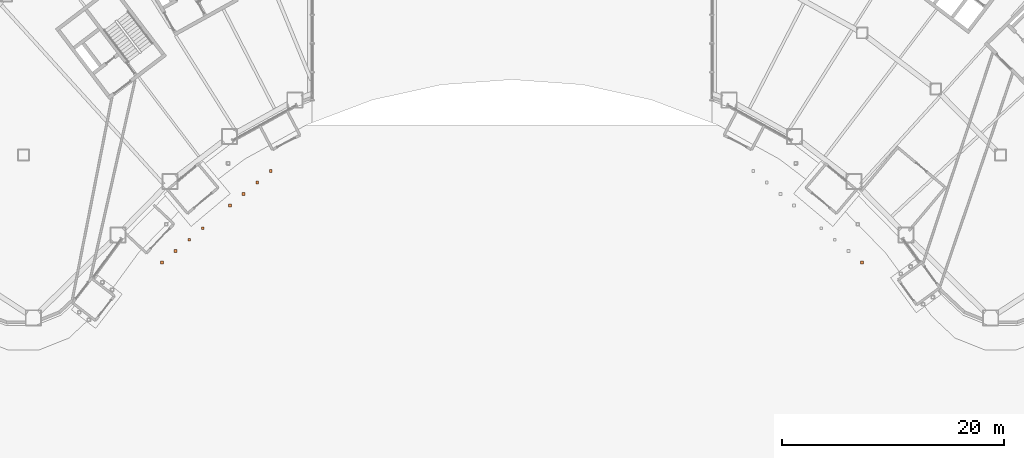
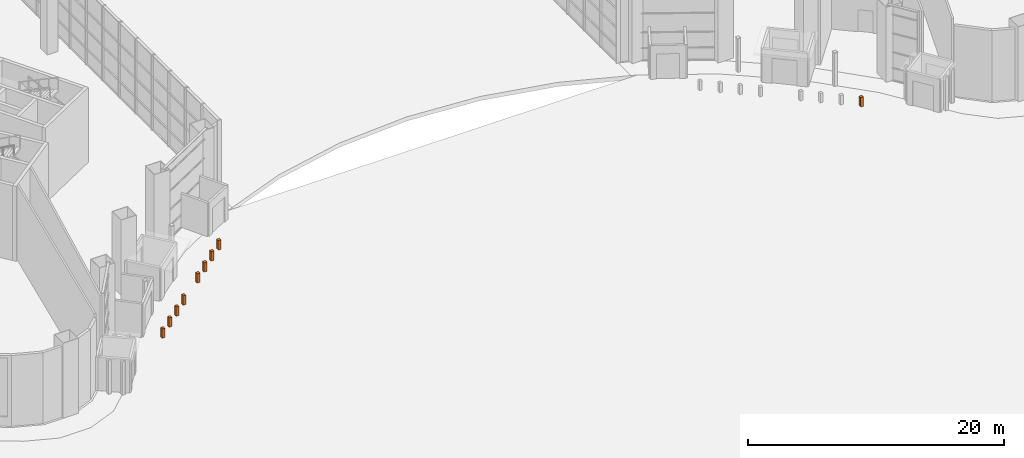
# One storey, part 43 of 45: 9 proxies.
"""IFC4 building model written with IfcOpenShell, lengths in metres."""

from ifc_helpers import new_model, si_unit, direction, frame, origin, origin_2d, place, context, subcontext, project, spatial, rectangle, extrude, material, type_object, element, save


model = new_model("IFC4")

# Units and contexts
model_context = context("Model", 3, precision=1e-05, world=origin(), true_north=direction((0.0, 1.0)))
body_context = subcontext(model_context, "Body", "Model", "MODEL_VIEW")
ifc_project = project(units=[si_unit("LENGTHUNIT", "METRE"), si_unit("AREAUNIT", "SQUARE_METRE"), si_unit("VOLUMEUNIT", "CUBIC_METRE"), si_unit("PLANEANGLEUNIT", "RADIAN"), si_unit("MASSUNIT", "GRAM", prefix="KILO")], contexts=[model_context])

# Site, building, storey
site_placement = place(None, origin())
site = spatial("IfcSite", under=ifc_project, at=site_placement, CompositionType="ELEMENT")
building_placement = place(site_placement, origin())
building = spatial("IfcBuilding", under=site, at=building_placement, Name="Tuul Gate Civic Tower", CompositionType="ELEMENT")
storey_placement = place(building_placement, origin())
storey = spatial("IfcBuildingStorey", under=building, at=storey_placement, Name="Level 00", CompositionType="ELEMENT", Elevation=0.0)

# Proxies
ifc_material = material(Name="Stainless steel", Category="steel")
building_element_proxy_type = type_object("IfcBuildingElementProxyType", Name="Security bollard", PredefinedType="USERDEFINED", material=ifc_material)
for number, where, z_axis, x_axis, name in (
    (1, (-31.518798828125, -32.39404296875, 0.0), (0.0, 0.0, 1.0), (1.0, 0.0, 0.0), "Security bollard"),
    (2, (-30.293212890625, -31.365478515625, 0.0), (0.0, 0.0, 1.0), (1.0, 0.0, 0.0), "Security bollard"),
    (3, (-29.0673828125, -30.337158203125, 0.0), (0.0, 0.0, 1.0), (1.0, 0.0, 0.0), "Security bollard"),
    (4, (-27.841796875, -29.30859375, 0.0), (0.0, 0.0, 1.0), (1.0, 0.0, 0.0), "Security bollard"),
    (5, (-25.390380859375, -27.251708984375, 0.0), (0.0, 0.0, 1.0), (1.0, 0.0, 0.0), "Security bollard"),
    (6, (-24.164794921875, -26.22314453125, 0.0), (0.0, 0.0, 1.0), (1.0, 0.0, 0.0), "Security bollard"),
    (7, (-22.939208984375, -25.19482421875, 0.0), (0.0, 0.0, 1.0), (1.0, 0.0, 0.0), "Security bollard"),
    (8, (-21.71337890625, -24.166259765625, 0.0), (0.0, 0.0, 1.0), (1.0, 0.0, 0.0), "Security bollard"),
    (9, (31.518798828125, -32.39404296875, 0.0), (0.0, 0.0, 1.0), (1.0, 0.0, 0.0), "Security bollard"),
):
    element("IfcBuildingElementProxy", number, at=place(storey_placement, frame(where, z_axis=z_axis, x_axis=x_axis)), inside=storey, type_object=building_element_proxy_type, Name=name, ObjectType="BOLLARD", PredefinedType="USERDEFINED", context=body_context, shape_type="SweptSolid", body=[
        extrude(rectangle(XDim=0.25, YDim=0.25, at=origin_2d()), origin(), (0.0, 0.0, 1.0), 0.89990234375),
    ])

save(model, "model.ifc")
